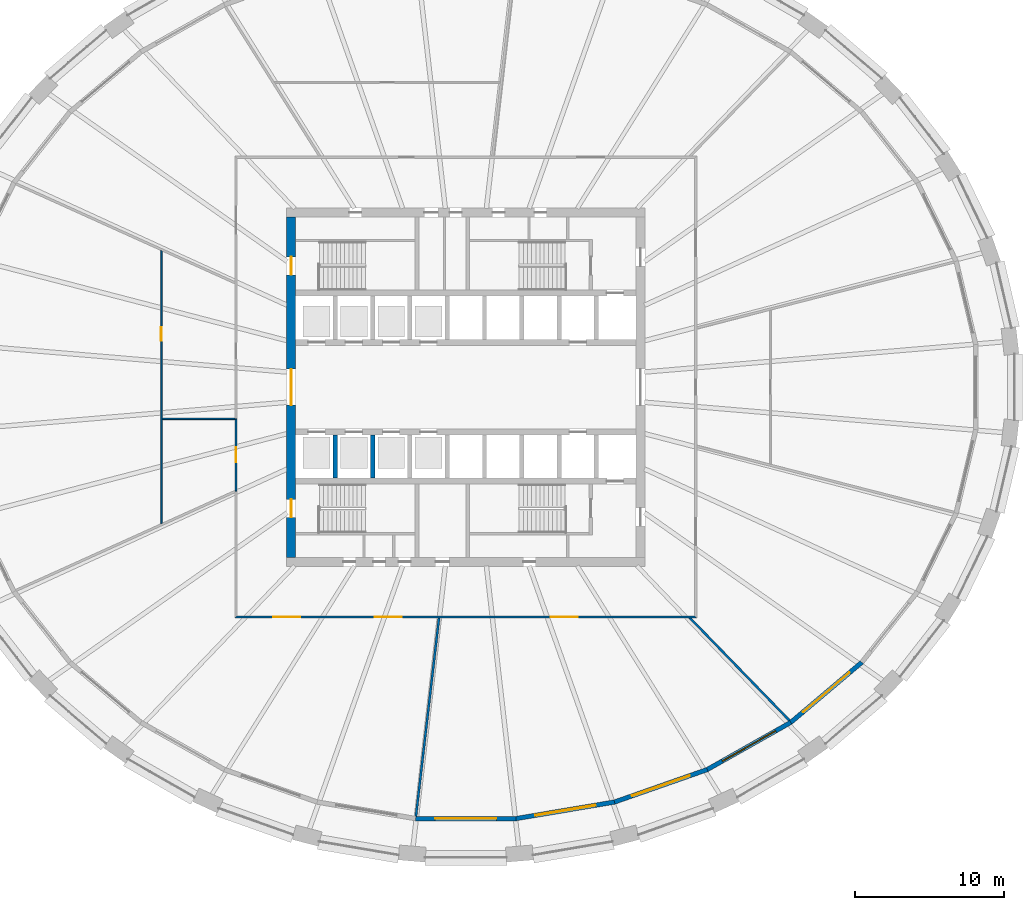
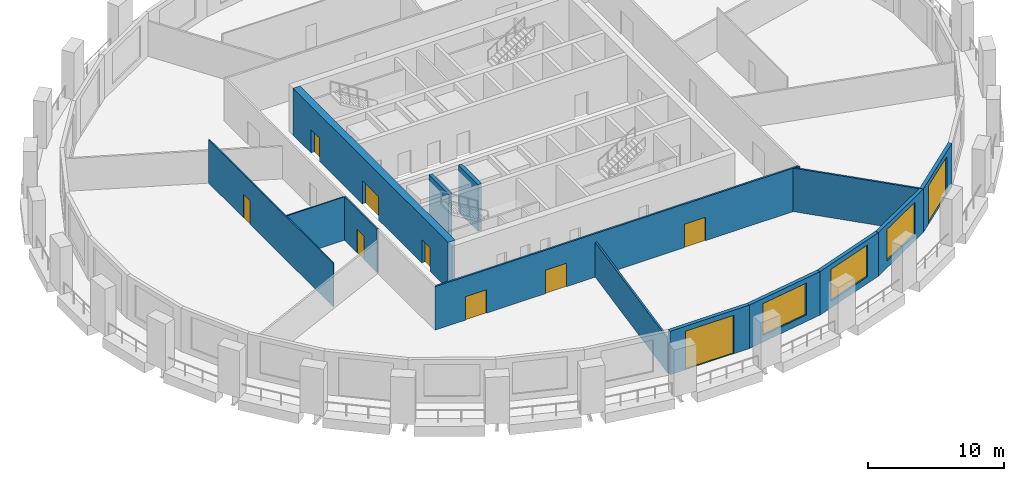
# One storey, part 3 of 10: 14 walls, 10 doors, 3 windows, 13 openings.
"""IFC4 building model written with IfcOpenShell, lengths in metres."""

from ifc_helpers import new_model, si_unit, direction, frame, frame_2d, origin, place, context, subcontext, project, spatial, polyline, rectangle, outline, extrude, material, layer, layer_set, type_object, element, fill, save


model = new_model("IFC4")

# Units and contexts
model_context = context("Model", 3, precision=1e-05, world=origin(), true_north=direction((0.0, 1.0)))
body_context = subcontext(model_context, "Body", "Model", "MODEL_VIEW")
ifc_project = project(units=[si_unit("LENGTHUNIT", "METRE"), si_unit("AREAUNIT", "SQUARE_METRE"), si_unit("VOLUMEUNIT", "CUBIC_METRE"), si_unit("PLANEANGLEUNIT", "RADIAN"), si_unit("MASSUNIT", "GRAM", prefix="KILO")], contexts=[model_context])

# Site, building, storey
site_placement = place(None, origin())
site = spatial("IfcSite", under=ifc_project, at=site_placement, CompositionType="ELEMENT")
building_placement = place(site_placement, origin())
building = spatial("IfcBuilding", under=site, at=building_placement, Name="Halqa Exchange Tower", CompositionType="ELEMENT")
storey_placement = place(building_placement, frame((0.0, 0.0, 69.699951171875)))
storey = spatial("IfcBuildingStorey", under=building, at=storey_placement, Name="L15", CompositionType="ELEMENT", Elevation=69.699951171875)

# Wall, openings, doors
ifc_material_1 = material(Name="Fire-rated gypsum board")
ifc_layer_1 = layer(ifc_material_1, 0.14990234375)
ifc_layer_set_1 = layer_set([ifc_layer_1], Name="Fire-rated gypsum board")
wall_type_1 = type_object("IfcWallType", Name="Fire partition EI 60 150", PredefinedType="PARTITIONING", material=ifc_layer_set_1)
wall_1_placement = place(storey_placement, frame((-15.47509765625, -15.39990234375, 0.0), z_axis=(0.0, 0.0, 1.0), x_axis=(1.0, 0.0, 0.0)))
wall_1 = element("IfcWall", 1, at=wall_1_placement, inside=storey, type_object=wall_type_1, Name="L15-PWL-007", PredefinedType="PARTITIONING", context=body_context, shape_type="SweptSolid", body=[
    extrude(outline(polyline([(0.000244140625, -0.074951171875), (1.9345703125, -0.074951171875), (3.868896484375, -0.074951171875), (5.80322265625, -0.074951171875), (7.73779296875, -0.074951171875), (9.672119140625, -0.074951171875), (11.6064453125, -0.074951171875), (13.540771484375, -0.074951171875), (15.47509765625, -0.074951171875), (17.409423828125, -0.074951171875), (19.34375, -0.074951171875), (21.278076171875, -0.074951171875), (23.21240234375, -0.074951171875), (25.14697265625, -0.074951171875), (27.081298828125, -0.074951171875), (29.015625, -0.074951171875), (30.949951171875, -0.074951171875), (30.800048828125, 0.074951171875), (28.884521484375, 0.074951171875), (26.96875, 0.074951171875), (25.05322265625, 0.074951171875), (23.1376953125, 0.074951171875), (21.221923828125, 0.074951171875), (19.306396484375, 0.074951171875), (17.390625, 0.074951171875), (15.47509765625, 0.074951171875), (13.5595703125, 0.074951171875), (11.643798828125, 0.074951171875), (9.728271484375, 0.074951171875), (7.8125, 0.074951171875), (5.89697265625, 0.074951171875), (3.9814453125, 0.074951171875), (2.065673828125, 0.074951171875), (0.150146484375, 0.074951171875), (0.000244140625, -0.074951171875)])), origin(), (0.0, 0.0, 1.0), 3.900146484375),
])
opening_1_placement = place(wall_1_placement, frame((2.577392578125, 0.0, 0.0)))
opening_1 = element("IfcOpeningElement", 2, at=opening_1_placement, cuts=wall_1, Name="Opening 04-09", PredefinedType="OPENING", context=body_context, shape_type="SweptSolid", body=[
    extrude(rectangle(XDim=1.800048828125, YDim=2.10009765625, at=frame_2d((0.89990234375, 1.050048828125))), frame((0.0, 0.0869140625, 0.0), z_axis=(0.0, -1.0, 0.0), x_axis=(1.0, 0.0, 0.0)), (0.0, 0.0, 1.0), 0.173828125),
])
opening_2_placement = place(wall_1_placement, frame((9.382568359375, 0.0, 0.0)))
opening_2 = element("IfcOpeningElement", 3, at=opening_2_placement, cuts=wall_1, Name="Opening 04-10", PredefinedType="OPENING", context=body_context, shape_type="SweptSolid", body=[
    extrude(rectangle(XDim=1.800048828125, YDim=2.10009765625, at=frame_2d((0.89990234375, 1.050048828125))), frame((0.0, 0.0869140625, 0.0), z_axis=(0.0, -1.0, 0.0), x_axis=(1.0, 0.0, 0.0)), (0.0, 0.0, 1.0), 0.173828125),
])
opening_3_placement = place(wall_1_placement, frame((21.155029296875, 0.0, 0.0)))
opening_3 = element("IfcOpeningElement", 4, at=opening_3_placement, cuts=wall_1, Name="Opening 04-11", PredefinedType="OPENING", context=body_context, shape_type="SweptSolid", body=[
    extrude(rectangle(XDim=1.800048828125, YDim=2.10009765625, at=frame_2d((0.89990234375, 1.050048828125))), frame((0.0, 0.0869140625, 0.0), z_axis=(0.0, -1.0, 0.0), x_axis=(1.0, 0.0, 0.0)), (0.0, 0.0, 1.0), 0.173828125),
])
ifc_material_2 = material(Name="Steel fire door leaf", Category="steel")
door_type_1 = type_object("IfcDoorType", Name="Fire door FD30S double 1800 x 2100", OperationType="DOUBLE_DOOR_SINGLE_SWING", PredefinedType="DOOR", material=ifc_material_2)
door_1_placement = place(opening_1_placement, frame((1.800048828125, 0.0, 0.0), z_axis=(0.0, 0.0, 1.0), x_axis=(-1.0, 0.0, 0.0)))
door_1 = element("IfcDoor", 5, at=door_1_placement, inside=storey, type_object=door_type_1, Name="L15-IDR-009", OperationType="DOUBLE_DOOR_SINGLE_SWING", OverallHeight=2.10009765625, OverallWidth=1.800048828125, PredefinedType="DOOR", context=body_context, shape_type="SweptSolid", body=[
    extrude(rectangle(XDim=1.800048828125, YDim=2.10009765625, at=frame_2d((0.89990234375, 1.050048828125))), frame((0.0, 0.02490234375, 0.0), z_axis=(0.0, -1.0, 0.0), x_axis=(1.0, 0.0, 0.0)), (0.0, 0.0, 1.0), 0.050048828125),
])
fill(opening_1, door_1)
door_2_placement = place(opening_2_placement, frame((1.800048828125, 0.0, 0.0), z_axis=(0.0, 0.0, 1.0), x_axis=(-1.0, 0.0, 0.0)))
door_2 = element("IfcDoor", 6, at=door_2_placement, inside=storey, type_object=door_type_1, Name="L15-IDR-010", OperationType="DOUBLE_DOOR_SINGLE_SWING", OverallHeight=2.10009765625, OverallWidth=1.800048828125, PredefinedType="DOOR", context=body_context, shape_type="SweptSolid", body=[
    extrude(rectangle(XDim=1.800048828125, YDim=2.10009765625, at=frame_2d((0.89990234375, 1.050048828125))), frame((0.0, 0.02490234375, 0.0), z_axis=(0.0, -1.0, 0.0), x_axis=(1.0, 0.0, 0.0)), (0.0, 0.0, 1.0), 0.050048828125),
])
fill(opening_2, door_2)
door_3_placement = place(opening_3_placement, frame((1.800048828125, 0.0, 0.0), z_axis=(0.0, 0.0, 1.0), x_axis=(-1.0, 0.0, 0.0)))
door_3 = element("IfcDoor", 7, at=door_3_placement, inside=storey, type_object=door_type_1, Name="L15-IDR-011", OperationType="DOUBLE_DOOR_SINGLE_SWING", OverallHeight=2.10009765625, OverallWidth=1.800048828125, PredefinedType="DOOR", context=body_context, shape_type="SweptSolid", body=[
    extrude(rectangle(XDim=1.800048828125, YDim=2.10009765625, at=frame_2d((0.89990234375, 1.050048828125))), frame((0.0, 0.02490234375, 0.0), z_axis=(0.0, -1.0, 0.0), x_axis=(1.0, 0.0, 0.0)), (0.0, 0.0, 1.0), 0.050048828125),
])
fill(opening_3, door_3)

# Walls
wall_2_placement = place(storey_placement, frame((-1.7978515625, -15.466552734375, 0.0), z_axis=(0.0, 0.0, 1.0), x_axis=(-0.115696073872, -0.993284661359, 0.0)))
element("IfcWall", 8, at=wall_2_placement, inside=storey, type_object=wall_type_1, Name="L15-PWL-012", PredefinedType="PARTITIONING", context=body_context, shape_type="SweptSolid", body=[
    extrude(outline(polyline([(13.372314453125, -0.074951171875), (13.372314453125, 0.030517578125), (13.3671875, 0.074951171875), (11.45751953125, 0.074951171875), (9.5478515625, 0.074951171875), (7.638427734375, 0.074951171875), (5.728759765625, 0.074951171875), (3.819091796875, 0.074951171875), (1.90966796875, 0.074951171875), (0.0, 0.074951171875), (0.0, 0.072998046875), (0.017333984375, -0.074951171875), (1.925048828125, -0.074951171875), (3.8330078125, -0.074951171875), (5.74072265625, -0.074951171875), (7.648681640625, -0.074951171875), (9.556640625, -0.074951171875), (11.46435546875, -0.074951171875), (13.372314453125, -0.074951171875)])), origin(), (0.0, 0.0, 1.0), 3.110107421875),
])
wall_3_placement = place(storey_placement, frame((21.683349609375, -22.3369140625, 0.0), z_axis=(0.0, 0.0, 1.0), x_axis=(-0.696500320059, 0.71755648151, 0.0)))
element("IfcWall", 9, at=wall_3_placement, inside=storey, type_object=wall_type_1, Name="L15-PWL-019", PredefinedType="PARTITIONING", context=body_context, shape_type="SweptSolid", body=[
    extrude(outline(polyline([(0.0, -0.074951171875), (1.89794921875, -0.074951171875), (3.796142578125, -0.074951171875), (5.694091796875, -0.074951171875), (7.592041015625, -0.074951171875), (9.490234375, -0.074951171875), (9.63525390625, 0.074462890625), (9.63525390625, 0.074951171875), (7.713134765625, 0.074951171875), (5.791015625, 0.074951171875), (3.868896484375, 0.074951171875), (1.946533203125, 0.074951171875), (0.0244140625, 0.074951171875), (0.0048828125, 0.00048828125), (0.0, -0.071533203125), (0.0, -0.074951171875)])), origin(), (0.0, 0.0, 1.0), 3.900146484375),
])

# Wall, opening, door
ifc_material_3 = material(Name="Fire-rated glazing", Category="glass")
ifc_layer_2 = layer(ifc_material_3, 0.1201171875)
ifc_layer_set_2 = layer_set([ifc_layer_2], Name="Fire-rated glazing")
wall_type_2 = type_object("IfcWallType", Name="Glazed fire partition EI 60 120", PredefinedType="PARTITIONING", material=ifc_layer_set_2)
wall_4_placement = place(storey_placement, frame((-15.39990234375, -6.9599609375, 0.0), z_axis=(0.0, 0.0, 1.0), x_axis=(0.0, 1.0, 0.0)))
wall_4 = element("IfcWall", 10, at=wall_4_placement, inside=storey, type_object=wall_type_2, Name="L15-PWL-008", PredefinedType="PARTITIONING", context=body_context, shape_type="SweptSolid", body=[
    extrude(rectangle(XDim=4.83984375, YDim=0.1201171875, at=frame_2d((2.419921875, 0.0))), origin(), (0.0, 0.0, 1.0), 3.900146484375),
])
opening_4_placement = place(wall_4_placement, frame((1.919921875, 0.0, 0.0)))
opening_4 = element("IfcOpeningElement", 11, at=opening_4_placement, cuts=wall_4, Name="Opening 04-07", PredefinedType="OPENING", context=body_context, shape_type="SweptSolid", body=[
    extrude(rectangle(XDim=1.0, YDim=2.10009765625, at=frame_2d((0.5, 1.050048828125))), frame((0.0, 0.072021484375, 0.0), z_axis=(0.0, -1.0, 0.0), x_axis=(1.0, 0.0, 0.0)), (0.0, 0.0, 1.0), 0.14404296875),
])
door_type_2 = type_object("IfcDoorType", Name="Fire door FD30S 1000 x 2100", OperationType="SINGLE_SWING_LEFT", PredefinedType="DOOR", material=ifc_material_2)
door_4_placement = place(opening_4_placement, origin())
door_4 = element("IfcDoor", 12, at=door_4_placement, inside=storey, type_object=door_type_2, Name="L15-IDR-007", OperationType="SINGLE_SWING_RIGHT", OverallHeight=2.10009765625, OverallWidth=1.0, PredefinedType="DOOR", context=body_context, shape_type="SweptSolid", body=[
    extrude(rectangle(XDim=1.0, YDim=2.10009765625, at=frame_2d((0.5, 1.050048828125))), frame((0.0, 0.02490234375, 0.0), z_axis=(0.0, -1.0, 0.0), x_axis=(1.0, 0.0, 0.0)), (0.0, 0.0, 1.0), 0.050048828125),
])
fill(opening_4, door_4)

ifc_material_4 = material(Name="Gypsum board")
ifc_layer_3 = layer(ifc_material_4, 0.10009765625)
ifc_layer_set_3 = layer_set([ifc_layer_3], Name="Gypsum board")
wall_type_3 = type_object("IfcWallType", Name="Partition 100 gypsum", PredefinedType="PARTITIONING", material=ifc_layer_set_3)
wall_5_placement = place(storey_placement, frame((-20.39990234375, -9.158447265625, 0.0), z_axis=(0.0, 0.0, 1.0), x_axis=(0.0, 1.0, 0.0)))
wall_5 = element("IfcWall", 13, at=wall_5_placement, inside=storey, type_object=wall_type_3, Name="L15-PWL-003", PredefinedType="PARTITIONING", context=body_context, shape_type="SweptSolid", body=[
    extrude(outline(polyline([(0.044921875, -0.050048828125), (1.78076171875, -0.050048828125), (3.5166015625, -0.050048828125), (5.252685546875, -0.050048828125), (6.988525390625, -0.050048828125), (6.988525390625, -0.0498046875), (7.08837890625, -0.0498046875), (7.08837890625, -0.050048828125), (8.952392578125, -0.050048828125), (10.81640625, -0.050048828125), (12.68017578125, -0.050048828125), (14.544189453125, -0.050048828125), (16.407958984375, -0.050048828125), (18.27197265625, -0.050048828125), (18.31689453125, 0.04931640625), (18.31689453125, 0.050048828125), (16.485107421875, 0.050048828125), (14.653564453125, 0.050048828125), (12.82177734375, 0.050048828125), (10.990234375, 0.050048828125), (9.158447265625, 0.050048828125), (7.32666015625, 0.050048828125), (5.4951171875, 0.050048828125), (3.663330078125, 0.050048828125), (1.831787109375, 0.050048828125), (0.0, 0.050048828125), (0.0, 0.04931640625), (0.044921875, -0.050048828125)])), origin(), (0.0, 0.0, 1.0), 3.900146484375),
])
opening_5_placement = place(wall_5_placement, frame((12.258544921875, 0.0, 0.0)))
opening_5 = element("IfcOpeningElement", 14, at=opening_5_placement, cuts=wall_5, Name="Opening 04-14", PredefinedType="OPENING", context=body_context, shape_type="SweptSolid", body=[
    extrude(rectangle(XDim=0.89990234375, YDim=2.10009765625, at=frame_2d((0.449951171875, 1.050048828125))), frame((0.0, 0.06201171875, 0.0), z_axis=(0.0, -1.0, 0.0), x_axis=(1.0, 0.0, 0.0)), (0.0, 0.0, 1.0), 0.1240234375),
])
ifc_material_5 = material(Name="Timber door leaf", Category="wood")
door_type_3 = type_object("IfcDoorType", Name="Door 900 x 2100", OperationType="SINGLE_SWING_LEFT", PredefinedType="DOOR", material=ifc_material_5)
door_5_placement = place(opening_5_placement, frame((0.89990234375, 0.0, 0.0), z_axis=(0.0, 0.0, 1.0), x_axis=(-1.0, 0.0, 0.0)))
door_5 = element("IfcDoor", 15, at=door_5_placement, inside=storey, type_object=door_type_3, Name="L15-IDR-014", OperationType="SINGLE_SWING_RIGHT", OverallHeight=2.10009765625, OverallWidth=0.89990234375, PredefinedType="DOOR", context=body_context, shape_type="SweptSolid", body=[
    extrude(rectangle(XDim=0.89990234375, YDim=2.10009765625, at=frame_2d((0.449951171875, 1.050048828125))), frame((0.0, 0.02490234375, 0.0), z_axis=(0.0, -1.0, 0.0), x_axis=(1.0, 0.0, 0.0)), (0.0, 0.0, 1.0), 0.050048828125),
])
fill(opening_5, door_5)

# Walls
wall_6_placement = place(storey_placement, frame((-20.35009765625, -2.1201171875, 0.0), z_axis=(0.0, 0.0, 1.0), x_axis=(1.0, 0.0, 0.0)))
element("IfcWall", 16, at=wall_6_placement, inside=storey, type_object=wall_type_3, Name="L15-PWL-004", PredefinedType="PARTITIONING", context=body_context, shape_type="SweptSolid", body=[
    extrude(outline(polyline([(4.8896484375, -0.050048828125), (4.8896484375, 0.0), (4.875, 0.0), (4.875, 0.050048828125), (3.25, 0.050048828125), (1.625, 0.050048828125), (0.0, 0.050048828125), (0.0, -0.050048828125), (1.6298828125, -0.050048828125), (3.259765625, -0.050048828125), (4.8896484375, -0.050048828125)])), origin(), (0.0, 0.0, 1.0), 3.900146484375),
])
ifc_material_6 = material(Name="Concrete C60/75", Category="concrete")
ifc_layer_4 = layer(ifc_material_6, 0.300048828125)
ifc_layer_set_4 = layer_set([ifc_layer_4], Name="Concrete C60/75")
wall_type_4 = type_object("IfcWallType", Name="RC core wall 300", PredefinedType="SHEAR", material=ifc_layer_set_4)
for number, where, z_axis, x_axis, name in (
    (17, (-8.75, -6.10009765625, 0.0), (0.0, 0.0, 1.0), (0.0, 1.0, 0.0), "Shaft divider S1"),
    (18, (-6.25, -6.10009765625, 0.0), (0.0, 0.0, 1.0), (0.0, 1.0, 0.0), "Shaft divider S2"),
):
    element("IfcWall", number, at=place(storey_placement, frame(where, z_axis=z_axis, x_axis=x_axis)), inside=storey, type_object=wall_type_4, Name=name, PredefinedType="SHEAR", context=body_context, shape_type="SweptSolid", body=[
        extrude(rectangle(XDim=2.900146484375, YDim=0.300048828125, at=frame_2d((1.4501953125, 0.0))), origin(), (0.0, 0.0, 1.0), 4.199951171875),
    ])

# Wall, openings, doors
ifc_material_7 = material(Name="Concrete C80/95", Category="concrete")
ifc_layer_5 = layer(ifc_material_7, 0.60009765625)
ifc_layer_set_5 = layer_set([ifc_layer_5], Name="Concrete C80/95")
wall_type_5 = type_object("IfcWallType", Name="RC core wall 600 C80/95", PredefinedType="SHEAR", material=ifc_layer_set_5)
wall_7_placement = place(storey_placement, frame((-11.699951171875, -11.39990234375, 0.0), z_axis=(0.0, 0.0, 1.0), x_axis=(0.0, 1.0, 0.0)))
wall_7 = element("IfcWall", 19, at=wall_7_placement, inside=storey, type_object=wall_type_5, Name="Core wall west", PredefinedType="SHEAR", context=body_context, shape_type="SweptSolid", body=[
    extrude(rectangle(XDim=22.7998046875, YDim=0.60009765625, at=frame_2d((11.39990234375, 0.0))), origin(), (0.0, 0.0, 1.0), 4.199951171875),
])
opening_6_placement = place(wall_7_placement, frame((10.199951171875, 0.0, 0.0)))
opening_6 = element("IfcOpeningElement", 20, at=opening_6_placement, cuts=wall_7, Name="Opening T04-C13", PredefinedType="OPENING", context=body_context, shape_type="SweptSolid", body=[
    extrude(rectangle(XDim=2.39990234375, YDim=2.10009765625, at=frame_2d((1.199951171875, 1.050048828125))), frame((0.0, 0.31201171875, 0.0), z_axis=(0.0, -1.0, 0.0), x_axis=(1.0, 0.0, 0.0)), (0.0, 0.0, 1.0), 0.6240234375),
])
opening_7_placement = place(wall_7_placement, frame((18.925048828125, 0.0, 0.0)))
opening_7 = element("IfcOpeningElement", 21, at=opening_7_placement, cuts=wall_7, Name="Opening T04-C15", PredefinedType="OPENING", context=body_context, shape_type="SweptSolid", body=[
    extrude(rectangle(XDim=1.199951171875, YDim=2.10009765625, at=frame_2d((0.60009765625, 1.050048828125))), frame((0.0, 0.31201171875, 0.0), z_axis=(0.0, -1.0, 0.0), x_axis=(1.0, 0.0, 0.0)), (0.0, 0.0, 1.0), 0.6240234375),
])
opening_8_placement = place(wall_7_placement, frame((2.675048828125, 0.0, 0.0)))
opening_8 = element("IfcOpeningElement", 22, at=opening_8_placement, cuts=wall_7, Name="Opening T04-C17", PredefinedType="OPENING", context=body_context, shape_type="SweptSolid", body=[
    extrude(rectangle(XDim=1.199951171875, YDim=2.10009765625, at=frame_2d((0.60009765625, 1.050048828125))), frame((0.0, 0.31201171875, 0.0), z_axis=(0.0, -1.0, 0.0), x_axis=(1.0, 0.0, 0.0)), (0.0, 0.0, 1.0), 0.6240234375),
])
door_type_4 = type_object("IfcDoorType", Name="Lobby double door FD60 2400 x 2100", OperationType="DOUBLE_DOOR_SINGLE_SWING", PredefinedType="DOOR", material=ifc_material_2)
door_6_placement = place(opening_6_placement, frame((2.39990234375, 0.0, 0.0), z_axis=(0.0, 0.0, 1.0), x_axis=(-1.0, 0.0, 0.0)))
door_6 = element("IfcDoor", 23, at=door_6_placement, inside=storey, type_object=door_type_4, Name="Lift lobby double door", OperationType="DOUBLE_DOOR_SINGLE_SWING", OverallHeight=2.10009765625, OverallWidth=2.39990234375, PredefinedType="DOOR", context=body_context, shape_type="SweptSolid", body=[
    extrude(rectangle(XDim=2.39990234375, YDim=2.10009765625, at=frame_2d((1.199951171875, 1.050048828125))), frame((0.0, 0.02490234375, 0.0), z_axis=(0.0, -1.0, 0.0), x_axis=(1.0, 0.0, 0.0)), (0.0, 0.0, 1.0), 0.050048828125),
])
fill(opening_6, door_6)
door_type_5 = type_object("IfcDoorType", Name="Stair door FD90 1200 x 2100", OperationType="SINGLE_SWING_LEFT", PredefinedType="DOOR", material=ifc_material_2)
door_7_placement = place(opening_7_placement, frame((1.199951171875, 0.0, 0.0), z_axis=(0.0, 0.0, 1.0), x_axis=(-1.0, 0.0, 0.0)))
door_7 = element("IfcDoor", 24, at=door_7_placement, inside=storey, type_object=door_type_5, Name="Stair door ST1", OperationType="SINGLE_SWING_LEFT", OverallHeight=2.10009765625, OverallWidth=1.199951171875, PredefinedType="DOOR", context=body_context, shape_type="SweptSolid", body=[
    extrude(rectangle(XDim=1.199951171875, YDim=2.10009765625, at=frame_2d((0.60009765625, 1.050048828125))), frame((0.0, 0.02490234375, 0.0), z_axis=(0.0, -1.0, 0.0), x_axis=(1.0, 0.0, 0.0)), (0.0, 0.0, 1.0), 0.050048828125),
])
fill(opening_7, door_7)
door_8_placement = place(opening_8_placement, frame((1.199951171875, 0.0, 0.0), z_axis=(0.0, 0.0, 1.0), x_axis=(-1.0, 0.0, 0.0)))
door_8 = element("IfcDoor", 25, at=door_8_placement, inside=storey, type_object=door_type_5, Name="Stair door ST3", OperationType="SINGLE_SWING_LEFT", OverallHeight=2.10009765625, OverallWidth=1.199951171875, PredefinedType="DOOR", context=body_context, shape_type="SweptSolid", body=[
    extrude(rectangle(XDim=1.199951171875, YDim=2.10009765625, at=frame_2d((0.60009765625, 1.050048828125))), frame((0.0, 0.02490234375, 0.0), z_axis=(0.0, -1.0, 0.0), x_axis=(1.0, 0.0, 0.0)), (0.0, 0.0, 1.0), 0.050048828125),
])
fill(opening_8, door_8)

# Wall, opening, door
ifc_material_8 = material(Name="Limestone cladding", Category="masonry")
ifc_layer_6 = layer(ifc_material_8, 0.0400390625)
ifc_material_9 = material(Name="Ventilated cavity")
ifc_layer_7 = layer(ifc_material_9, 0.030029296875, ventilated=True)
ifc_material_10 = material(Name="Mineral wool insulation")
ifc_layer_8 = layer(ifc_material_10, 0.10009765625)
ifc_material_11 = material(Name="Concrete C30/37", Category="concrete")
ifc_layer_9 = layer(ifc_material_11, 0.10009765625)
ifc_material_12 = material(Name="Internal plaster")
ifc_layer_10 = layer(ifc_material_12, 0.030029296875)
ifc_layer_set_6 = layer_set([ifc_layer_6, ifc_layer_7, ifc_layer_8, ifc_layer_9, ifc_layer_10], Name="Stone-faced insulated wall 300")
wall_type_6 = type_object("IfcWallType", Name="Stone-faced insulated wall 300", PredefinedType="STANDARD", material=ifc_layer_set_6)
wall_8_placement = place(storey_placement, frame((-3.362060546875, -28.902587890625, 0.0), z_axis=(0.0, 0.0, 1.0), x_axis=(1.0, 0.0, 0.0)))
wall_8 = element("IfcWall", 26, at=wall_8_placement, inside=storey, type_object=wall_type_6, Name="Glass-line wall 24", PredefinedType="STANDARD", context=body_context, shape_type="SweptSolid", body=[
    extrude(outline(polyline([(-0.012451171875, -0.14990234375), (6.736572265625, -0.14990234375), (6.711669921875, 0.14990234375), (0.012451171875, 0.14990234375), (-0.012451171875, -0.14990234375)])), origin(), (0.0, 0.0, 1.0), 3.900146484375),
])
opening_9_placement = place(wall_8_placement, frame((1.31201171875, 0.0, 0.0)))
opening_9 = element("IfcOpeningElement", 27, at=opening_9_placement, cuts=wall_8, Name="Opening LG-F1-06", PredefinedType="OPENING", context=body_context, shape_type="SweptSolid", body=[
    extrude(rectangle(XDim=4.10009765625, YDim=3.449951171875, at=frame_2d((2.050048828125, 1.72509765625))), frame((0.0, 0.162109375, 0.0), z_axis=(0.0, -1.0, 0.0), x_axis=(1.0, 0.0, 0.0)), (0.0, 0.0, 1.0), 0.323974609375),
])
ifc_material_13 = material(Name="Clear low-emissivity glass in aluminium frame", Category="aluminium")
door_type_6 = type_object("IfcDoorType", Name="Glazed sliding loggia door 4100 x 3450", OperationType="DOUBLE_DOOR_SLIDING", PredefinedType="DOOR", material=ifc_material_13)
door_9_placement = place(opening_9_placement, origin())
door_9 = element("IfcDoor", 28, at=door_9_placement, inside=storey, type_object=door_type_6, Name="Loggia door 6", OperationType="DOUBLE_DOOR_SLIDING", OverallHeight=3.449951171875, OverallWidth=4.10009765625, PredefinedType="DOOR", context=body_context, shape_type="SweptSolid", body=[
    extrude(rectangle(XDim=4.10009765625, YDim=3.449951171875, at=frame_2d((2.050048828125, 1.72509765625))), frame((0.0, 0.02490234375, 0.0), z_axis=(0.0, -1.0, 0.0), x_axis=(1.0, 0.0, 0.0)), (0.0, 0.0, 1.0), 0.050048828125),
])
fill(opening_9, door_9)

# Wall, opening, window
wall_9_placement = place(storey_placement, frame((3.362060546875, -28.902587890625, 0.0), z_axis=(0.0, 0.0, 1.0), x_axis=(0.986153133093, 0.165837263877, 0.0)))
wall_9 = element("IfcWall", 29, at=wall_9_placement, inside=storey, type_object=wall_type_6, Name="Glass-line wall 25", PredefinedType="STANDARD", context=body_context, shape_type="SweptSolid", body=[
    extrude(outline(polyline([(-0.012451171875, -0.14990234375), (6.70068359375, -0.14990234375), (6.67529296875, 0.14990234375), (0.012451171875, 0.14990234375), (-0.012451171875, -0.14990234375)])), origin(), (0.0, 0.0, 1.0), 3.900146484375),
])
opening_10_placement = place(wall_9_placement, frame((1.294189453125, 0.0, 0.60009765625)))
opening_10 = element("IfcOpeningElement", 30, at=opening_10_placement, cuts=wall_9, Name="Opening W-F1-25", PredefinedType="OPENING", context=body_context, shape_type="SweptSolid", body=[
    extrude(rectangle(XDim=4.10009765625, YDim=2.85009765625, at=frame_2d((2.050048828125, 1.425048828125))), frame((0.0, 0.162109375, 0.0), z_axis=(0.0, -1.0, 0.0), x_axis=(1.0, 0.0, 0.0)), (0.0, 0.0, 1.0), 0.323974609375),
])
window_type = type_object("IfcWindowType", Name="Fixed clear glazed window 4100 x 2850", PartitioningType="TRIPLE_PANEL_VERTICAL", PredefinedType="WINDOW", material=ifc_material_13)
window_1_placement = place(opening_10_placement, origin())
window_1 = element("IfcWindow", 31, at=window_1_placement, inside=storey, type_object=window_type, Name="Window 1", OverallHeight=2.85009765625, OverallWidth=4.10009765625, PartitioningType="TRIPLE_PANEL_VERTICAL", PredefinedType="WINDOW", context=body_context, shape_type="SweptSolid", body=[
    extrude(rectangle(XDim=4.10009765625, YDim=2.85009765625, at=frame_2d((2.050048828125, 1.425048828125))), frame((0.0, 0.030029296875, 0.0), z_axis=(0.0, -1.0, 0.0), x_axis=(1.0, 0.0, 0.0)), (0.0, 0.0, 1.0), 0.06005859375),
])
fill(opening_10, window_1)

wall_10_placement = place(storey_placement, frame((9.95751953125, -27.79345703125, 0.0), z_axis=(0.0, 0.0, 1.0), x_axis=(0.94380689486, 0.330497420889, 0.0)))
wall_10 = element("IfcWall", 32, at=wall_10_placement, inside=storey, type_object=wall_type_6, Name="Glass-line wall 26", PredefinedType="STANDARD", context=body_context, shape_type="SweptSolid", body=[
    extrude(outline(polyline([(-0.0126953125, -0.14990234375), (6.597412109375, -0.14990234375), (6.570556640625, 0.14990234375), (0.0126953125, 0.14990234375), (-0.0126953125, -0.14990234375)])), origin(), (0.0, 0.0, 1.0), 3.900146484375),
])
opening_11_placement = place(wall_10_placement, frame((1.241943359375, 0.0, 0.60009765625)))
opening_11 = element("IfcOpeningElement", 33, at=opening_11_placement, cuts=wall_10, Name="Opening W-F1-26", PredefinedType="OPENING", context=body_context, shape_type="SweptSolid", body=[
    extrude(rectangle(XDim=4.10009765625, YDim=2.85009765625, at=frame_2d((2.050048828125, 1.425048828125))), frame((0.0, 0.162109375, 0.0), z_axis=(0.0, -1.0, 0.0), x_axis=(1.0, 0.0, 0.0)), (0.0, 0.0, 1.0), 0.323974609375),
])
window_2_placement = place(opening_11_placement, origin())
window_2 = element("IfcWindow", 34, at=window_2_placement, inside=storey, type_object=window_type, Name="Window 1", OverallHeight=2.85009765625, OverallWidth=4.10009765625, PartitioningType="TRIPLE_PANEL_VERTICAL", PredefinedType="WINDOW", context=body_context, shape_type="SweptSolid", body=[
    extrude(rectangle(XDim=4.10009765625, YDim=2.85009765625, at=frame_2d((2.050048828125, 1.425048828125))), frame((0.0, 0.030029296875, 0.0), z_axis=(0.0, -1.0, 0.0), x_axis=(1.0, 0.0, 0.0)), (0.0, 0.0, 1.0), 0.06005859375),
])
fill(opening_11, window_2)

wall_11_placement = place(storey_placement, frame((16.171630859375, -25.617431640625, 0.0), z_axis=(0.0, 0.0, 1.0), x_axis=(0.870673928577, 0.491860661262, 0.0)))
wall_11 = element("IfcWall", 35, at=wall_11_placement, inside=storey, type_object=wall_type_6, Name="Glass-line wall 27", PredefinedType="STANDARD", context=body_context, shape_type="SweptSolid", body=[
    extrude(outline(polyline([(-0.013427734375, -0.14990234375), (6.43896484375, -0.14990234375), (6.41064453125, 0.14990234375), (0.013427734375, 0.14990234375), (-0.013427734375, -0.14990234375)])), origin(), (0.0, 0.0, 1.0), 3.900146484375),
])
opening_12_placement = place(wall_11_placement, frame((1.16259765625, 0.0, 0.60009765625)))
opening_12 = element("IfcOpeningElement", 36, at=opening_12_placement, cuts=wall_11, Name="Opening W-F1-27", PredefinedType="OPENING", context=body_context, shape_type="SweptSolid", body=[
    extrude(rectangle(XDim=4.10009765625, YDim=2.85009765625, at=frame_2d((2.050048828125, 1.425048828125))), frame((0.0, 0.162109375, 0.0), z_axis=(0.0, -1.0, 0.0), x_axis=(1.0, 0.0, 0.0)), (0.0, 0.0, 1.0), 0.323974609375),
])
window_3_placement = place(opening_12_placement, origin())
window_3 = element("IfcWindow", 37, at=window_3_placement, inside=storey, type_object=window_type, Name="Window 1", OverallHeight=2.85009765625, OverallWidth=4.10009765625, PartitioningType="TRIPLE_PANEL_VERTICAL", PredefinedType="WINDOW", context=body_context, shape_type="SweptSolid", body=[
    extrude(rectangle(XDim=4.10009765625, YDim=2.85009765625, at=frame_2d((2.050048828125, 1.425048828125))), frame((0.0, 0.030029296875, 0.0), z_axis=(0.0, -1.0, 0.0), x_axis=(1.0, 0.0, 0.0)), (0.0, 0.0, 1.0), 0.06005859375),
])
fill(opening_12, window_3)

# Wall, opening, door
wall_12_placement = place(storey_placement, frame((21.765625, -22.457275390625, 0.0), z_axis=(0.0, 0.0, 1.0), x_axis=(0.763655167989, 0.645624336905, 0.0)))
wall_12 = element("IfcWall", 38, at=wall_12_placement, inside=storey, type_object=wall_type_6, Name="Glass-line wall 28", PredefinedType="STANDARD", context=body_context, shape_type="SweptSolid", body=[
    extrude(outline(polyline([(-0.01416015625, -0.14990234375), (6.247314453125, -0.14990234375), (6.217041015625, 0.14990234375), (0.01416015625, 0.14990234375), (-0.01416015625, -0.14990234375)])), origin(), (0.0, 0.0, 1.0), 3.900146484375),
])
opening_13_placement = place(wall_12_placement, frame((1.066162109375, 0.0, 0.0)))
opening_13 = element("IfcOpeningElement", 39, at=opening_13_placement, cuts=wall_12, Name="Opening LG-F1-07", PredefinedType="OPENING", context=body_context, shape_type="SweptSolid", body=[
    extrude(rectangle(XDim=4.10009765625, YDim=3.449951171875, at=frame_2d((2.050048828125, 1.72509765625))), frame((0.0, 0.162109375, 0.0), z_axis=(0.0, -1.0, 0.0), x_axis=(1.0, 0.0, 0.0)), (0.0, 0.0, 1.0), 0.323974609375),
])
door_10_placement = place(opening_13_placement, origin())
door_10 = element("IfcDoor", 40, at=door_10_placement, inside=storey, type_object=door_type_6, Name="Loggia door 7", OperationType="DOUBLE_DOOR_SLIDING", OverallHeight=3.449951171875, OverallWidth=4.10009765625, PredefinedType="DOOR", context=body_context, shape_type="SweptSolid", body=[
    extrude(rectangle(XDim=4.10009765625, YDim=3.449951171875, at=frame_2d((2.050048828125, 1.72509765625))), frame((0.0, 0.02490234375, 0.0), z_axis=(0.0, -1.0, 0.0), x_axis=(1.0, 0.0, 0.0)), (0.0, 0.0, 1.0), 0.050048828125),
])
fill(opening_13, door_10)

save(model, "model.ifc")
